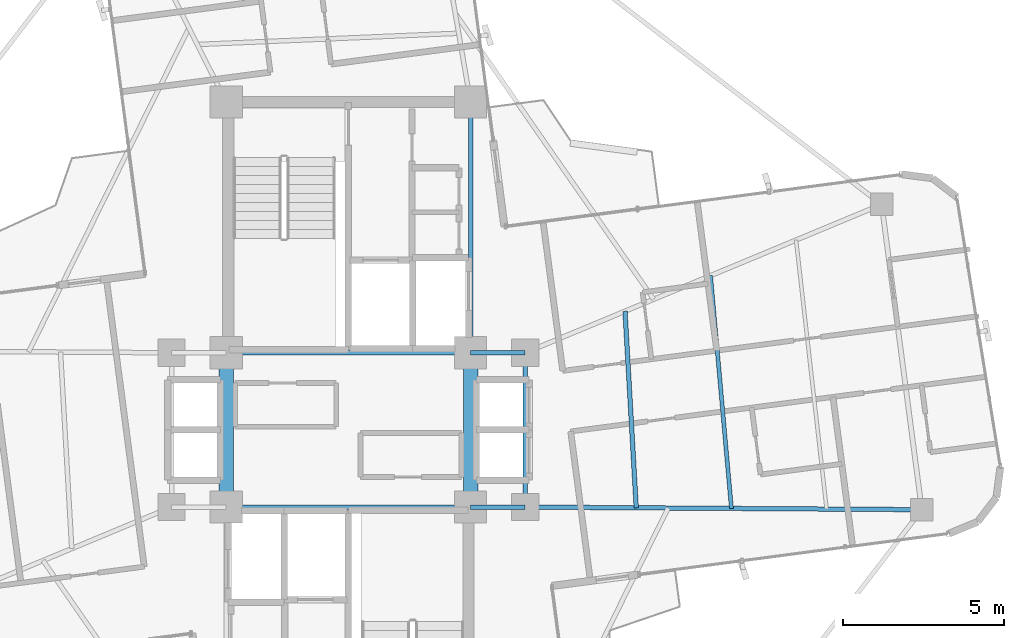
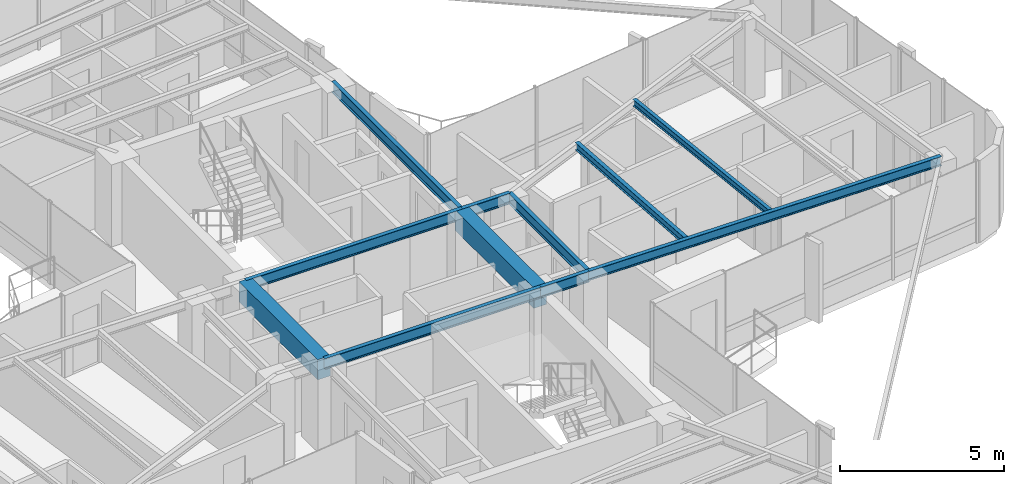
# One storey, part 10 of 23: 11 beams.
"""IFC4 building model written with IfcOpenShell, lengths in metres."""

from ifc_helpers import new_model, si_unit, direction, frame, origin, origin_2d, place, context, subcontext, project, spatial, rectangle, i_section, extrude, source, transform, mapped, material, material_profile, profile_set, type_object, element, save


model = new_model("IFC4")

# Units and contexts
model_context = context("Model", 3, precision=1e-05, world=origin(), true_north=direction((0.0, 1.0)))
body_context = subcontext(model_context, "Body", "Model", "MODEL_VIEW")
ifc_project = project(units=[si_unit("LENGTHUNIT", "METRE"), si_unit("AREAUNIT", "SQUARE_METRE"), si_unit("VOLUMEUNIT", "CUBIC_METRE"), si_unit("PLANEANGLEUNIT", "RADIAN"), si_unit("MASSUNIT", "GRAM", prefix="KILO")], contexts=[model_context])

# Site, building, storey
site_placement = place(None, origin())
site = spatial("IfcSite", under=ifc_project, at=site_placement, CompositionType="ELEMENT")
building_placement = place(site_placement, origin())
building = spatial("IfcBuilding", under=site, at=building_placement, Name="Sahyath Konkavel Grand Hotel", CompositionType="ELEMENT")
storey_placement = place(building_placement, frame((0.0, 0.0, 226.60009765625)))
storey = spatial("IfcBuildingStorey", under=building, at=storey_placement, Name="L63", CompositionType="ELEMENT", Elevation=226.60009765625)

# Beams
ifc_material_1 = material(Name="Steel E350", Category="steel")
ifc_material_profile_1 = material_profile(ifc_material_1, i_section(OverallWidth=0.139892578125, OverallDepth=0.39990234375, WebThickness=0.0087890625, FlangeThickness=0.01611328125, FilletRadius=0.013916015625, at=origin_2d()), Name="ISMB 400")
ifc_profile_set_1 = profile_set([ifc_material_profile_1], Name="Steel E350")
beam_type_1 = type_object("IfcBeamType", Name="BM-ISMB400", PredefinedType="BEAM", material=ifc_profile_set_1)
shared_shape_1 = source(origin(), body_context, "Body", "SweptSolid", [
    extrude(i_section(OverallWidth=0.139892578125, OverallDepth=0.39990234375, WebThickness=0.0087890625, FlangeThickness=0.01611328125, FilletRadius=0.013916015625, at=origin_2d()), origin(), (0.0, 0.0, 1.0), 7.60009765625),
])
for number, where, z_axis, x_axis, name in (
    (1, (-3.800048828125, 2.39990234375, 2.849853515625), (1.0, 0.0, 0.0), (0.0, 1.0, 0.0), "str:bm:L63:NC-S"),
    (2, (-3.800048828125, -2.39990234375, 2.849853515625), (1.0, 0.0, 0.0), (0.0, 1.0, 0.0), "str:bm:L63:SC-N"),
):
    element("IfcBeam", number, at=place(storey_placement, frame(where, z_axis=z_axis, x_axis=x_axis)), inside=storey, type_object=beam_type_1, Name=name, PredefinedType="BEAM", context=body_context, shape_type="MappedRepresentation", body=[
        mapped(shared_shape_1, transform((0.0, 0.0, 0.0), scale=1.0)),
    ])
shared_shape_2 = source(origin(), body_context, "Body", "SweptSolid", [
    extrude(i_section(OverallWidth=0.139892578125, OverallDepth=0.39990234375, WebThickness=0.0087890625, FlangeThickness=0.01611328125, FilletRadius=0.013916015625, at=origin_2d()), origin(), (0.0, 0.0, 1.0), 7.800048828125),
])
beam_1_placement = place(storey_placement, frame((3.800048828125, 2.39990234375, 2.849853515625), z_axis=(0.0, 1.0, 0.0), x_axis=(-1.0, 0.0, 0.0)))
element("IfcBeam", 3, at=beam_1_placement, inside=storey, type_object=beam_type_1, Name="str:bm:L63:NC-E", PredefinedType="BEAM", context=body_context, shape_type="MappedRepresentation", body=[
    mapped(shared_shape_2, transform((0.0, 0.0, 0.0), scale=1.0)),
])
shared_shape_3 = source(origin(), body_context, "Body", "SweptSolid", [
    extrude(i_section(OverallWidth=0.139892578125, OverallDepth=0.39990234375, WebThickness=0.0087890625, FlangeThickness=0.01611328125, FilletRadius=0.013916015625, at=origin_2d()), origin(), (0.0, 0.0, 1.0), 1.699951171875),
])
for number, where, z_axis, x_axis, name in (
    (4, (3.800048828125, 2.39990234375, 2.849853515625), (1.0, 0.0, 0.0), (0.0, 1.0, 0.0), "str:bm:L63:HB-NE"),
    (5, (3.800048828125, -2.39990234375, 2.849853515625), (1.0, 0.0, 0.0), (0.0, 1.0, 0.0), "str:bm:L63:HB-SE"),
):
    element("IfcBeam", number, at=place(storey_placement, frame(where, z_axis=z_axis, x_axis=x_axis)), inside=storey, type_object=beam_type_1, Name=name, PredefinedType="BEAM", context=body_context, shape_type="MappedRepresentation", body=[
        mapped(shared_shape_3, transform((0.0, 0.0, 0.0), scale=1.0)),
    ])
shared_shape_4 = source(origin(), body_context, "Body", "SweptSolid", [
    extrude(i_section(OverallWidth=0.139892578125, OverallDepth=0.39990234375, WebThickness=0.0087890625, FlangeThickness=0.01611328125, FilletRadius=0.013916015625, at=origin_2d()), origin(), (0.0, 0.0, 1.0), 4.7998046875),
])
beam_2_placement = place(storey_placement, frame((5.5, -2.39990234375, 2.849853515625), z_axis=(0.0, 1.0, 0.0), x_axis=(-1.0, 0.0, 0.0)))
element("IfcBeam", 6, at=beam_2_placement, inside=storey, type_object=beam_type_1, Name="str:bm:L63:HB-E", PredefinedType="BEAM", context=body_context, shape_type="MappedRepresentation", body=[
    mapped(shared_shape_4, transform((0.0, 0.0, 0.0), scale=1.0)),
])
ifc_material_2 = material(Name="Concrete C40/50", Category="concrete")
ifc_material_profile_2 = material_profile(ifc_material_2, rectangle(XDim=0.449951171875, YDim=0.75, at=origin_2d()), Name="RC 450x750")
ifc_profile_set_2 = profile_set([ifc_material_profile_2], Name="Concrete C40/50")
beam_type_2 = type_object("IfcBeamType", Name="BM-CB450x750", PredefinedType="LINTEL", material=ifc_profile_set_2)
shared_shape_5 = source(origin(), body_context, "Body", "SweptSolid", [
    extrude(rectangle(XDim=0.449951171875, YDim=0.75, at=origin_2d()), origin(), (0.0, 0.0, 1.0), 4.7998046875),
])
for number, where, z_axis, x_axis, name in (
    (7, (-3.800048828125, -2.39990234375, 2.6748046875), (0.0, 1.0, 0.0), (-1.0, 0.0, 0.0), "L63 Split-Core Coupling Beam West"),
    (8, (3.800048828125, -2.39990234375, 2.6748046875), (0.0, 1.0, 0.0), (-1.0, 0.0, 0.0), "L63 Split-Core Coupling Beam East"),
):
    element("IfcBeam", number, at=place(storey_placement, frame(where, z_axis=z_axis, x_axis=x_axis)), inside=storey, type_object=beam_type_2, Name=name, PredefinedType="LINTEL", context=body_context, shape_type="MappedRepresentation", body=[
        mapped(shared_shape_5, transform((0.0, 0.0, 0.0), scale=1.0)),
    ])
ifc_material_profile_3 = material_profile(ifc_material_1, i_section(OverallWidth=0.139892578125, OverallDepth=0.35009765625, WebThickness=0.008056640625, FlangeThickness=0.01416015625, FilletRadius=0.013916015625, at=origin_2d()), Name="ISMB 350")
ifc_profile_set_3 = profile_set([ifc_material_profile_3], Name="Steel E350")
beam_type_3 = type_object("IfcBeamType", Name="BM-ISMB350", PredefinedType="BEAM", material=ifc_profile_set_3)
shared_shape_6 = source(origin(), body_context, "Body", "SweptSolid", [
    extrude(i_section(OverallWidth=0.139892578125, OverallDepth=0.35009765625, WebThickness=0.008056640625, FlangeThickness=0.01416015625, FilletRadius=0.013916015625, at=origin_2d()), origin(), (0.0, 0.0, 1.0), 12.336669921875),
])
beam_3_placement = place(storey_placement, frame((5.5, -2.39990234375, 2.875), z_axis=(0.999978285705, -0.006590001368, 0.0), x_axis=(0.006590001368, 0.999978285705, 0.0)))
element("IfcBeam", 9, at=beam_3_placement, inside=storey, type_object=beam_type_3, Name="L63 Cruciform Radial Girder EA", PredefinedType="BEAM", context=body_context, shape_type="MappedRepresentation", body=[
    mapped(shared_shape_6, transform((0.0, 0.0, 0.0), scale=1.0)),
])
ifc_material_profile_4 = material_profile(ifc_material_1, i_section(OverallWidth=0.139892578125, OverallDepth=0.27490234375, WebThickness=0.00634765625, FlangeThickness=0.0087890625, FilletRadius=0.012939453125, at=origin_2d()), Name="ISLB 275")
ifc_profile_set_4 = profile_set([ifc_material_profile_4], Name="Steel E350")
beam_type_4 = type_object("IfcBeamType", Name="BM-ISLB275", PredefinedType="BEAM", material=ifc_profile_set_4)
shared_shape_7 = source(origin(), body_context, "Body", "SweptSolid", [
    extrude(i_section(OverallWidth=0.139892578125, OverallDepth=0.27490234375, WebThickness=0.00634765625, FlangeThickness=0.0087890625, FilletRadius=0.012939453125, at=origin_2d()), origin(), (0.0, 0.0, 1.0), 6.124267578125),
])
beam_4_placement = place(storey_placement, frame((8.9541015625, -2.422607421875, 2.912353515625), z_axis=(-0.057125854079, 0.998366985029, 0.0), x_axis=(-0.998366985029, -0.057125854079, 0.0)))
element("IfcBeam", 10, at=beam_4_placement, inside=storey, type_object=beam_type_4, Name="L63 Secondary Floor Beam E-1", PredefinedType="BEAM", context=body_context, shape_type="MappedRepresentation", body=[
    mapped(shared_shape_7, transform((0.0, 0.0, 0.0), scale=1.0)),
])
ifc_material_profile_5 = material_profile(ifc_material_1, i_section(OverallWidth=0.125, OverallDepth=0.25, WebThickness=0.0068359375, FlangeThickness=0.012451171875, FilletRadius=0.012939453125, at=origin_2d()), Name="ISMB 250")
ifc_profile_set_5 = profile_set([ifc_material_profile_5], Name="Steel E350")
beam_type_5 = type_object("IfcBeamType", Name="BM-ISMB250", PredefinedType="BEAM", material=ifc_profile_set_5)
shared_shape_8 = source(origin(), body_context, "Body", "SweptSolid", [
    extrude(i_section(OverallWidth=0.125, OverallDepth=0.25, WebThickness=0.0068359375, FlangeThickness=0.012451171875, FilletRadius=0.012939453125, at=origin_2d()), origin(), (0.0, 0.0, 1.0), 7.27001953125),
])
beam_5_placement = place(storey_placement, frame((11.914794921875, -2.442138671875, 2.9248046875), z_axis=(-0.08939418783, 0.995996324884, 0.0), x_axis=(-0.995996324884, -0.08939418783, 0.0)))
element("IfcBeam", 11, at=beam_5_placement, inside=storey, type_object=beam_type_5, Name="L63 Secondary Floor Beam E-2", PredefinedType="BEAM", context=body_context, shape_type="MappedRepresentation", body=[
    mapped(shared_shape_8, transform((0.0, 0.0, 0.0), scale=1.0)),
])

save(model, "model.ifc")
